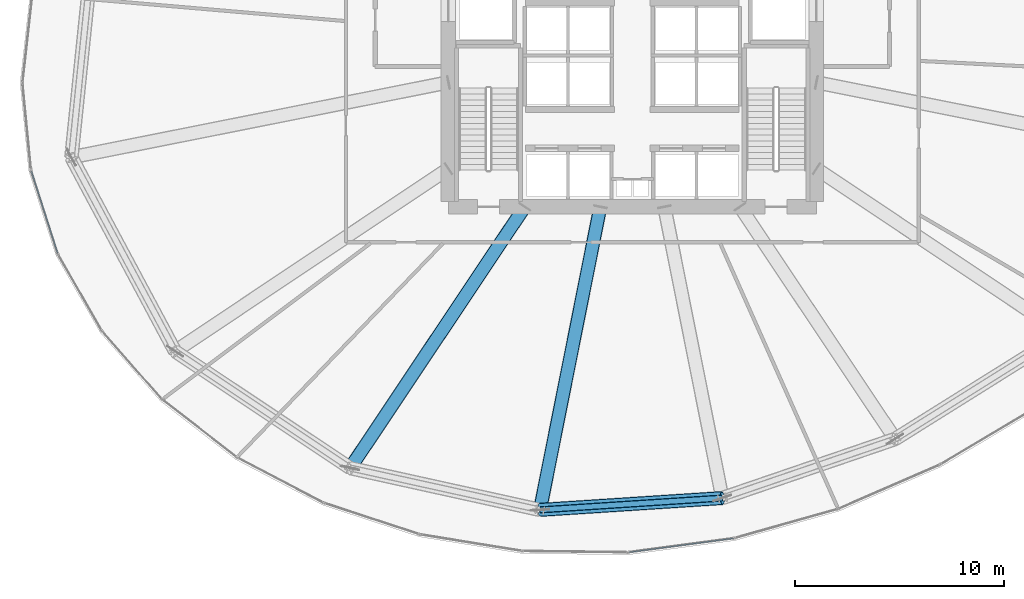
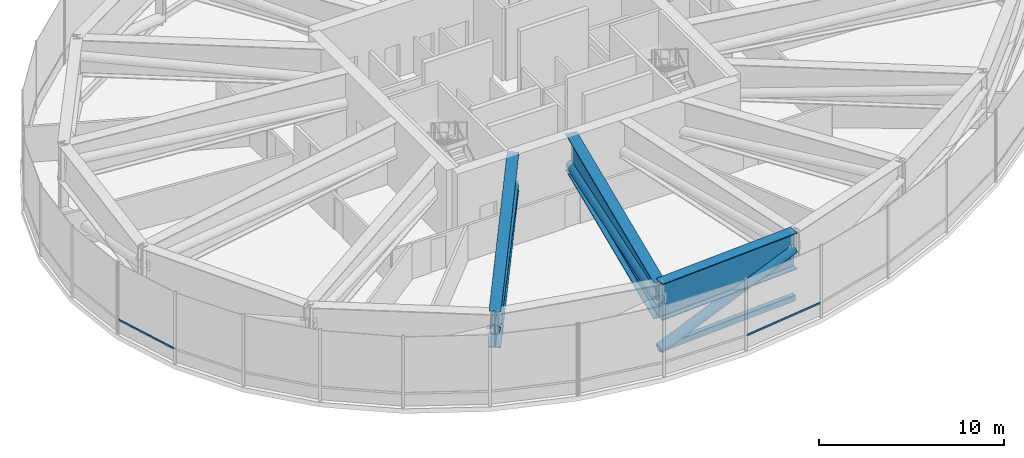
# One storey, part 6 of 33: 6 members, 3 beams, 2 elements without a shape of their own.
"""IFC4 building model written with IfcOpenShell, lengths in metres."""

from ifc_helpers import new_model, si_unit, direction, frame, origin, origin_2d, place, context, subcontext, project, spatial, hollow_rectangle, hollow_circle, i_section, extrude, source, transform, mapped, material, layer, layer_set, material_profile, profile_set, type_object, element, aggregate, save


model = new_model("IFC4")

# Units and contexts
model_context = context("Model", 3, precision=1e-05, world=origin(), true_north=direction((0.0, 1.0)))
body_context = subcontext(model_context, "Body", "Model", "MODEL_VIEW")
ifc_project = project(units=[si_unit("LENGTHUNIT", "METRE"), si_unit("AREAUNIT", "SQUARE_METRE"), si_unit("VOLUMEUNIT", "CUBIC_METRE"), si_unit("PLANEANGLEUNIT", "RADIAN"), si_unit("MASSUNIT", "GRAM", prefix="KILO"), si_unit("THERMODYNAMICTEMPERATUREUNIT", "KELVIN")], contexts=[model_context])

# Site, building, storey
site_placement = place(None, origin())
site = spatial("IfcSite", under=ifc_project, at=site_placement, CompositionType="ELEMENT")
building_placement = place(site_placement, origin())
building = spatial("IfcBuilding", under=site, at=building_placement, Name="Kethvar Cultural Tower", CompositionType="ELEMENT")
storey_placement = place(building_placement, frame((0.0, 0.0, 80.39990234375)))
storey = spatial("IfcBuildingStorey", under=building, at=storey_placement, Name="L19", CompositionType="ELEMENT", Elevation=80.39990234375)

# Beam
ifc_material_1 = material(Name="Steel S460M", Category="steel")
ifc_material_profile_1 = material_profile(ifc_material_1, i_section(OverallWidth=0.64990234375, OverallDepth=2.39990234375, WebThickness=0.030029296875, FlangeThickness=0.048095703125, FilletRadius=0.02197265625, at=origin_2d()), Name="Steel S460M — PG2400x650x48x30")
ifc_profile_set_1 = profile_set([ifc_material_profile_1], Name="Steel S460M — PG2400x650x48x30")
beam_type = type_object("IfcBeamType", Name="BM-TR2400", PredefinedType="BEAM", material=ifc_profile_set_1)
shared_shape_1 = source(origin(), body_context, "Body", "SweptSolid", [
    extrude(i_section(OverallWidth=0.64990234375, OverallDepth=2.39990234375, WebThickness=0.030029296875, FlangeThickness=0.048095703125, FilletRadius=0.02197265625, at=origin_2d()), origin(), (0.0, 0.0, 1.0), 15.03515625),
])
beam_1_placement = place(storey_placement, frame((41.655029296875, 20.10009765625, 3.55810546875), z_axis=(-0.555569254616, -0.83147026605, 0.0), x_axis=(0.83147026605, -0.555569254616, 0.0)))
element("IfcBeam", 1, at=beam_1_placement, inside=storey, type_object=beam_type, Name="L19 Outrigger Transfer Girder OG-11", PredefinedType="BEAM", context=body_context, shape_type="MappedRepresentation", body=[
    mapped(shared_shape_1, transform((0.0, 0.0, 0.0), scale=1.0)),
])

# Member
ifc_material_profile_2 = material_profile(ifc_material_1, hollow_circle(Radius=0.304931640625, WallThickness=0.02490234375, at=origin_2d()), Name="Steel S460M — CHS610x25")
ifc_profile_set_2 = profile_set([ifc_material_profile_2], Name="Steel S460M — CHS610x25")
member_type_1 = type_object("IfcMemberType", Name="MB-OUT-610", PredefinedType="BRACE", material=ifc_profile_set_2)
shared_shape_2 = source(origin(), body_context, "Body", "SweptSolid", [
    extrude(hollow_circle(Radius=0.304931640625, WallThickness=0.02490234375, at=origin_2d()), origin(), (0.0, 0.0, 1.0), 15.0625),
])
member_1_placement = place(storey_placement, frame((41.655029296875, 20.10009765625, 2.650146484375), z_axis=(-0.554558970821, -0.829958265648, 0.06027955844), x_axis=(0.83147026605, -0.555569254616, 0.0)))
element("IfcMember", 2, at=member_1_placement, inside=storey, type_object=member_type_1, Name="L19 Outrigger Truss Diagonal OB-11", PredefinedType="BRACE", context=body_context, shape_type="MappedRepresentation", body=[
    mapped(shared_shape_2, transform((0.0, 0.0, 0.0), scale=1.0)),
])

# Beam
shared_shape_3 = source(origin(), body_context, "Body", "SweptSolid", [
    extrude(i_section(OverallWidth=0.64990234375, OverallDepth=2.39990234375, WebThickness=0.030029296875, FlangeThickness=0.048095703125, FilletRadius=0.02197265625, at=origin_2d()), origin(), (0.0, 0.0, 1.0), 14.7880859375),
])
beam_2_placement = place(storey_placement, frame((45.268310546875, 20.10009765625, 3.55810546875), z_axis=(-0.1950905456, -0.98078523593, 0.0), x_axis=(0.98078523593, -0.1950905456, 0.0)))
element("IfcBeam", 3, at=beam_2_placement, inside=storey, type_object=beam_type, Name="L19 Outrigger Transfer Girder OG-12", PredefinedType="BEAM", context=body_context, shape_type="MappedRepresentation", body=[
    mapped(shared_shape_3, transform((0.0, 0.0, 0.0), scale=1.0)),
])

# Member
shared_shape_4 = source(origin(), body_context, "Body", "SweptSolid", [
    extrude(hollow_circle(Radius=0.304931640625, WallThickness=0.02490234375, at=origin_2d()), origin(), (0.0, 0.0, 1.0), 14.81591796875),
])
member_2_placement = place(storey_placement, frame((45.268310546875, 20.10009765625, 2.650146484375), z_axis=(-0.194723862582, -0.978941798112, 0.061282732076), x_axis=(0.98078523593, -0.1950905456, 0.0)))
element("IfcMember", 4, at=member_2_placement, inside=storey, type_object=member_type_1, Name="L19 Outrigger Truss Diagonal OB-12", PredefinedType="BRACE", context=body_context, shape_type="MappedRepresentation", body=[
    mapped(shared_shape_4, transform((0.0, 0.0, 0.0), scale=1.0)),
])

# Beam
shared_shape_5 = source(origin(), body_context, "Body", "SweptSolid", [
    extrude(i_section(OverallWidth=0.64990234375, OverallDepth=2.39990234375, WebThickness=0.030029296875, FlangeThickness=0.048095703125, FilletRadius=0.02197265625, at=origin_2d()), origin(), (0.0, 0.0, 1.0), 8.739013671875),
])
beam_3_placement = place(storey_placement, frame((42.38330078125, 5.59619140625, 3.55810546875), z_axis=(0.997897424084, 0.064813046581, 0.0), x_axis=(-0.064813046581, 0.997897424084, 0.0)))
element("IfcBeam", 5, at=beam_3_placement, inside=storey, type_object=beam_type, Name="L19 Ring Belt Girder BG-12", PredefinedType="BEAM", context=body_context, shape_type="MappedRepresentation", body=[
    mapped(shared_shape_5, transform((0.0, 0.0, 0.0), scale=1.0)),
])

# Members
ifc_material_profile_3 = material_profile(ifc_material_1, hollow_rectangle(XDim=0.300048828125, YDim=0.39990234375, WallThickness=0.01611328125, InnerFilletRadius=0.01611328125, OuterFilletRadius=0.031982421875, at=origin_2d()), Name="Steel S460M — RHS400x300x16")
ifc_profile_set_3 = profile_set([ifc_material_profile_3], Name="Steel S460M — RHS400x300x16")
member_type_2 = type_object("IfcMemberType", Name="MB-CHD-400", PredefinedType="CHORD", material=ifc_profile_set_3)
shared_shape_6 = source(origin(), body_context, "Body", "SweptSolid", [
    extrude(hollow_rectangle(XDim=0.300048828125, YDim=0.39990234375, WallThickness=0.01611328125, InnerFilletRadius=0.01611328125, OuterFilletRadius=0.031982421875, at=origin_2d()), origin(), (0.0, 0.0, 1.0), 8.739013671875),
])
member_3_placement = place(storey_placement, frame((42.38330078125, 5.59619140625, 0.35009765625), z_axis=(0.997897424084, 0.064813046581, 0.0), x_axis=(-0.064813046581, 0.997897424084, 0.0)))
element("IfcMember", 6, at=member_3_placement, inside=storey, type_object=member_type_2, Name="L19 Ring Belt Bottom Chord BC-12", PredefinedType="CHORD", context=body_context, shape_type="MappedRepresentation", body=[
    mapped(shared_shape_6, transform((0.0, 0.0, 0.0), scale=1.0)),
])
shared_shape_7 = source(origin(), body_context, "Body", "SweptSolid", [
    extrude(hollow_circle(Radius=0.304931640625, WallThickness=0.02490234375, at=origin_2d()), origin(), (0.0, 0.0, 1.0), 9.309326171875),
])
member_4_placement = place(storey_placement, frame((42.38330078125, 5.59619140625, 0.35009765625), z_axis=(0.93677471747, 0.060843150743, 0.344603017569), x_axis=(-0.064813046581, 0.997897424084, 0.0)))
element("IfcMember", 7, at=member_4_placement, inside=storey, type_object=member_type_1, Name="L19 Ring Belt Diagonal BD-12", PredefinedType="BRACE", context=body_context, shape_type="MappedRepresentation", body=[
    mapped(shared_shape_7, transform((0.0, 0.0, 0.0), scale=1.0)),
])

# Curtain wall, member
ifc_material_2 = material(Name="Aluminium 6063-T6", Category="aluminium")
ifc_layer = layer(ifc_material_2, 0.179931640625, Name="Aluminium 6063-T6", Category="aluminium")
ifc_layer_set = layer_set([ifc_layer], Name="Aluminium 6063-T6 (180 mm)")
curtain_wall_type = type_object("IfcCurtainWallType", Name="CW-SYS-02-Z1", PredefinedType="NOTDEFINED", material=ifc_layer_set)
curtain_wall_1_placement = place(storey_placement, origin())
curtain_wall_1 = element("IfcCurtainWall", 8, at=curtain_wall_1_placement, inside=storey, type_object=curtain_wall_type, Name="L19 Curtain Wall Run 04", PredefinedType="NOTDEFINED")
ifc_material_profile_4 = material_profile(ifc_material_2, hollow_rectangle(XDim=0.054931640625, YDim=0.1201171875, WallThickness=0.00390625, at=origin_2d()), Name="Aluminium 6063-T6 — RHS120x55x4")
ifc_profile_set_4 = profile_set([ifc_material_profile_4], Name="Aluminium 6063-T6 — RHS120x55x4")
member_type_3 = type_object("IfcMemberType", Name="CW-SYS-02-Z1-TRN", PredefinedType="USERDEFINED", material=ifc_profile_set_4)
shared_shape_8 = source(origin(), body_context, "Body", "SweptSolid", [
    extrude(hollow_rectangle(XDim=0.054931640625, YDim=0.1201171875, WallThickness=0.00390625, at=origin_2d()), origin(), (0.0, 0.0, 1.0), 4.128662109375),
])
member_5_placement = place(storey_placement, frame((18.047607421875, 21.81103515625, 0.9501953125), z_axis=(0.305545915647, -0.952177343477, 0.0), x_axis=(0.952177343477, 0.305545915647, 0.0)))
member_5 = element("IfcMember", 9, at=member_5_placement, type_object=member_type_3, Name="CW-L19-R04 Transom 1", ObjectType="TRANSOM", PredefinedType="USERDEFINED", context=body_context, shape_type="MappedRepresentation", body=[
    mapped(shared_shape_8, transform((0.0, 0.0, 0.0), scale=1.0)),
])
aggregate(curtain_wall_1, [member_5])

curtain_wall_2_placement = place(storey_placement, origin())
curtain_wall_2 = element("IfcCurtainWall", 10, at=curtain_wall_2_placement, inside=storey, type_object=curtain_wall_type, Name="L19 Curtain Wall Run 05", PredefinedType="NOTDEFINED")
shared_shape_9 = source(origin(), body_context, "Body", "SweptSolid", [
    extrude(hollow_rectangle(XDim=0.054931640625, YDim=0.1201171875, WallThickness=0.00390625, at=origin_2d()), origin(), (0.0, 0.0, 1.0), 5.041259765625),
])
member_6_placement = place(storey_placement, frame((46.643798828125, 3.5703125, 0.9501953125), z_axis=(0.991221978374, 0.132208129811, 0.0), x_axis=(-0.132208129811, 0.991221978374, 0.0)))
member_6 = element("IfcMember", 11, at=member_6_placement, type_object=member_type_3, Name="CW-L19-R05 Transom 3", ObjectType="TRANSOM", PredefinedType="USERDEFINED", context=body_context, shape_type="MappedRepresentation", body=[
    mapped(shared_shape_9, transform((0.0, 0.0, 0.0), scale=1.0)),
])
aggregate(curtain_wall_2, [member_6])

save(model, "model.ifc")
